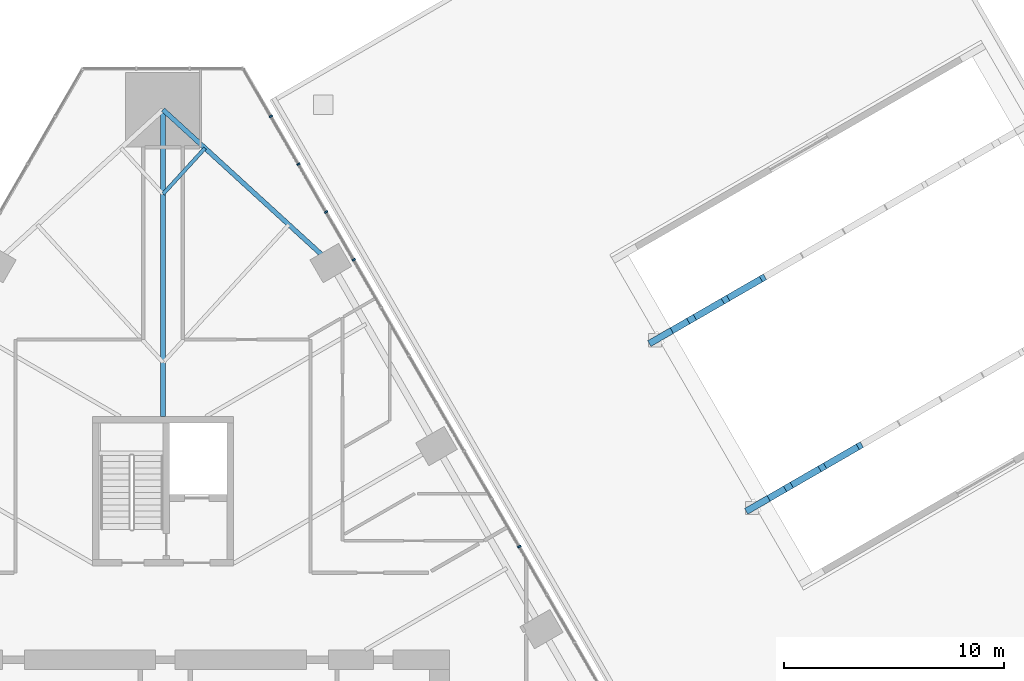
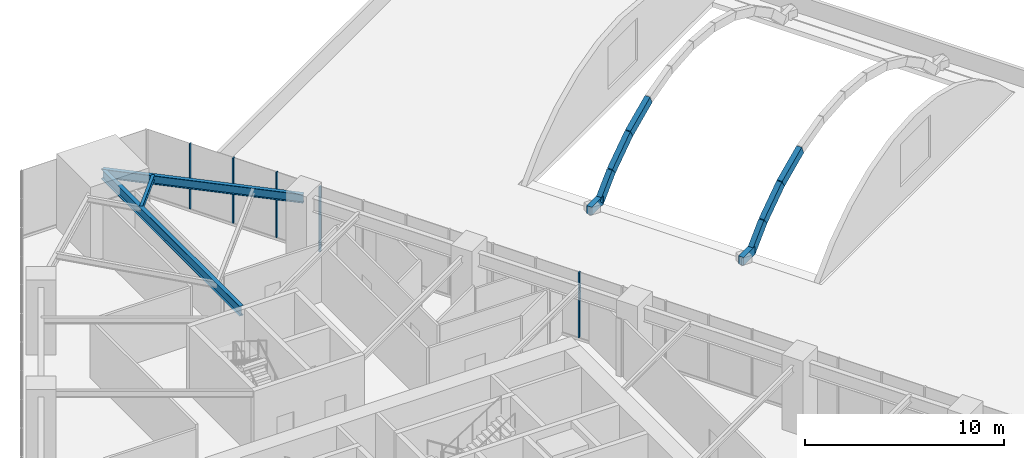
# One storey, part 12 of 23: 13 members, 3 beams, 1 element without a shape of its own.
"""IFC4 building model written with IfcOpenShell, lengths in metres."""

from ifc_helpers import new_model, si_unit, direction, frame, origin, origin_2d, place, context, subcontext, project, spatial, rectangle, i_section, extrude, material, layer, layer_set, material_profile, profile_set, type_object, element, aggregate, save


model = new_model("IFC4")

# Units and contexts
model_context = context("Model", 3, precision=1e-05, world=origin(), true_north=direction((0.0, 1.0)))
body_context = subcontext(model_context, "Body", "Model", "MODEL_VIEW")
ifc_project = project(units=[si_unit("LENGTHUNIT", "METRE"), si_unit("AREAUNIT", "SQUARE_METRE"), si_unit("VOLUMEUNIT", "CUBIC_METRE"), si_unit("PLANEANGLEUNIT", "RADIAN"), si_unit("MASSUNIT", "GRAM", prefix="KILO")], contexts=[model_context])

# Site, building, storey
site_placement = place(None, origin())
site = spatial("IfcSite", under=ifc_project, at=site_placement, CompositionType="ELEMENT")
building_placement = place(site_placement, origin())
building = spatial("IfcBuilding", under=site, at=building_placement, Name="Firuza Gate Tower and Library", CompositionType="ELEMENT")
storey_placement = place(building_placement, frame((0.0, 0.0, 26.39990234375)))
storey = spatial("IfcBuildingStorey", under=building, at=storey_placement, Name="L05", CompositionType="ELEMENT", Elevation=26.39990234375)

# Curtain wall, members
ifc_material_1 = material(Name="Aluminium 6063-T6", Category="aluminium")
ifc_layer = layer(ifc_material_1, 0.14990234375)
ifc_layer_set = layer_set([ifc_layer], Name="Stick curtain wall, podium")
curtain_wall_type = type_object("IfcCurtainWallType", Name="Stick curtain wall, podium", PredefinedType="NOTDEFINED", material=ifc_layer_set)
curtain_wall_placement = place(storey_placement, origin())
curtain_wall = element("IfcCurtainWall", 1, at=curtain_wall_placement, inside=storey, type_object=curtain_wall_type, Name="CW5 L05 E", PredefinedType="NOTDEFINED")
ifc_material_2 = material(Name="Aluminium 6063-T6", Category="aluminium")
ifc_material_profile_1 = material_profile(ifc_material_2, rectangle(XDim=0.14990234375, YDim=0.080078125, at=origin_2d()))
ifc_profile_set_1 = profile_set([ifc_material_profile_1], Name="Aluminium 6063-T6")
member_type_1 = type_object("IfcMemberType", Name="Curtain wall mullion 80x150", PredefinedType="MULLION", material=ifc_profile_set_1)
member_1_placement = place(storey_placement, frame((91.183837890625, 88.68798828125, 0.150146484375), z_axis=(0.0, 0.0, 1.0), x_axis=(-0.866025403784, -0.5, 0.0)))
member_1 = element("IfcMember", 2, at=member_1_placement, type_object=member_type_1, Name="Mullion", PredefinedType="MULLION", context=body_context, shape_type="SweptSolid", body=[
    extrude(rectangle(XDim=0.14990234375, YDim=0.080078125, at=origin_2d()), origin(), (0.0, 0.0, 1.0), 4.0),
])
member_2_placement = place(storey_placement, frame((83.659423828125, 101.720458984375, 0.150146484375), z_axis=(0.0, 0.0, 1.0), x_axis=(-0.866025403784, -0.5, 0.0)))
member_2 = element("IfcMember", 3, at=member_2_placement, type_object=member_type_1, Name="Mullion", PredefinedType="MULLION", context=body_context, shape_type="SweptSolid", body=[
    extrude(rectangle(XDim=0.14990234375, YDim=0.080078125, at=origin_2d()), origin(), (0.0, 0.0, 1.0), 4.0),
])
member_3_placement = place(storey_placement, frame((82.405517578125, 103.892578125, 0.150146484375), z_axis=(0.0, 0.0, 1.0), x_axis=(-0.866025403784, -0.5, 0.0)))
member_3 = element("IfcMember", 4, at=member_3_placement, type_object=member_type_1, Name="Mullion", PredefinedType="MULLION", context=body_context, shape_type="SweptSolid", body=[
    extrude(rectangle(XDim=0.14990234375, YDim=0.080078125, at=origin_2d()), origin(), (0.0, 0.0, 1.0), 4.0),
])
member_4_placement = place(storey_placement, frame((81.1513671875, 106.064697265625, 0.150146484375), z_axis=(0.0, 0.0, 1.0), x_axis=(-0.866025403784, -0.5, 0.0)))
member_4 = element("IfcMember", 5, at=member_4_placement, type_object=member_type_1, Name="Mullion", PredefinedType="MULLION", context=body_context, shape_type="SweptSolid", body=[
    extrude(rectangle(XDim=0.14990234375, YDim=0.080078125, at=origin_2d()), origin(), (0.0, 0.0, 1.0), 4.0),
])
member_5_placement = place(storey_placement, frame((79.8974609375, 108.23681640625, 0.150146484375), z_axis=(0.0, 0.0, 1.0), x_axis=(-0.866025403784, -0.5, 0.0)))
member_5 = element("IfcMember", 6, at=member_5_placement, type_object=member_type_1, Name="Mullion", PredefinedType="MULLION", context=body_context, shape_type="SweptSolid", body=[
    extrude(rectangle(XDim=0.14990234375, YDim=0.080078125, at=origin_2d()), origin(), (0.0, 0.0, 1.0), 4.0),
])
aggregate(curtain_wall, [member_1, member_2, member_3, member_4, member_5])

# Members
ifc_material_3 = material(Name="Concrete C40/50", Category="concrete")
ifc_material_profile_2 = material_profile(ifc_material_3, rectangle(XDim=0.300048828125, YDim=0.5, at=origin_2d()))
ifc_profile_set_2 = profile_set([ifc_material_profile_2], Name="Concrete C40/50")
member_type_2 = type_object("IfcMemberType", Name="LIB VAULT RIB 300X500", PredefinedType="USERDEFINED", material=ifc_profile_set_2)
member_6_placement = place(storey_placement, frame((102.35595703125, 90.7939453125, 0.178955078125), z_axis=(0.619323113088, 0.357629163137, 0.698956553206), x_axis=(-0.500065854499, 0.865987379333, 0.0)))
element("IfcMember", 7, at=member_6_placement, inside=storey, type_object=member_type_2, Name="Reading hall vault rib 1.1", ObjectType="VAULT RIB", PredefinedType="USERDEFINED", context=body_context, shape_type="SweptSolid", body=[
    extrude(rectangle(XDim=0.300048828125, YDim=0.5, at=origin_2d()), origin(), (0.0, 0.0, 1.0), 1.6923828125),
])
for number, where, z_axis, x_axis, name in (
    (8, (103.404052734375, 91.399169921875, 1.36181640625), (0.71380604921, 0.411989370812, 0.566344137825), (-0.49988465769, 0.866091986458, 0.0), "Reading hall vault rib 1.2"),
    (9, (104.9462890625, 92.289306640625, 2.58544921875), (0.787102137933, 0.454566738574, 0.416940408983), (-0.500109828528, 0.865961984968, 0.0), "Reading hall vault rib 1.3"),
):
    element("IfcMember", number, at=place(storey_placement, frame(where, z_axis=z_axis, x_axis=x_axis)), inside=storey, type_object=member_type_2, Name=name, ObjectType="VAULT RIB", PredefinedType="USERDEFINED", context=body_context, shape_type="SweptSolid", body=[
        extrude(rectangle(XDim=0.300048828125, YDim=0.5, at=origin_2d()), origin(), (0.0, 0.0, 1.0), 2.16064453125),
    ])
member_7_placement = place(storey_placement, frame((97.9560546875, 98.4150390625, 0.178955078125), z_axis=(0.61926612133, 0.357535286267, 0.699055069395), x_axis=(-0.500001913541, 0.866024298998, 0.0)))
element("IfcMember", 10, at=member_7_placement, inside=storey, type_object=member_type_2, Name="Reading hall vault rib 2.1", ObjectType="VAULT RIB", PredefinedType="USERDEFINED", context=body_context, shape_type="SweptSolid", body=[
    extrude(rectangle(XDim=0.300048828125, YDim=0.5, at=origin_2d()), origin(), (0.0, 0.0, 1.0), 1.692138671875),
])
member_8_placement = place(storey_placement, frame((99.00390625, 99.02001953125, 1.36181640625), z_axis=(0.713772816573, 0.412083182213, 0.566317770566), x_axis=(-0.499987491644, 0.866032625367, 0.0)))
element("IfcMember", 11, at=member_8_placement, inside=storey, type_object=member_type_2, Name="Reading hall vault rib 2.2", ObjectType="VAULT RIB", PredefinedType="USERDEFINED", context=body_context, shape_type="SweptSolid", body=[
    extrude(rectangle(XDim=0.300048828125, YDim=0.5, at=origin_2d()), origin(), (0.0, 0.0, 1.0), 2.16064453125),
])
member_9_placement = place(storey_placement, frame((100.546142578125, 99.910400390625, 2.58544921875), z_axis=(0.787185542842, 0.454436666185, 0.416924738494), x_axis=(-0.499962770326, 0.86604689728, 0.0)))
element("IfcMember", 12, at=member_9_placement, inside=storey, type_object=member_type_2, Name="Reading hall vault rib 2.3", ObjectType="VAULT RIB", PredefinedType="USERDEFINED", context=body_context, shape_type="SweptSolid", body=[
    extrude(rectangle(XDim=0.300048828125, YDim=0.5, at=origin_2d()), origin(), (0.0, 0.0, 1.0), 2.160888671875),
])
for number, where, z_axis, x_axis, name in (
    (13, (101.487060546875, 90.292236328125, 0.25), (0.866002680491, 0.500039355833, 0.0), (-0.500039355833, 0.866002680491, 0.0), "Vault spring beam 1"),
    (14, (97.0869140625, 97.913330078125, 0.25), (0.866054481515, 0.499949632511, 0.0), (-0.499949632511, 0.866054481515, 0.0), "Vault spring beam 3"),
):
    element("IfcMember", number, at=place(storey_placement, frame(where, z_axis=z_axis, x_axis=x_axis)), inside=storey, type_object=member_type_2, Name=name, ObjectType="VAULT RIB", PredefinedType="USERDEFINED", context=body_context, shape_type="SweptSolid", body=[
        extrude(rectangle(XDim=0.300048828125, YDim=0.5, at=origin_2d()), origin(), (0.0, 0.0, 1.0), 1.17822265625),
    ])

# Beams
ifc_material_4 = material(Name="Steel S355", Category="steel")
ifc_material_profile_3 = material_profile(ifc_material_4, i_section(OverallWidth=0.1650390625, OverallDepth=0.31005859375, WebThickness=0.005859375, FlangeThickness=0.009765625, at=origin_2d()))
ifc_profile_set_3 = profile_set([ifc_material_profile_3], Name="Steel S355")
beam_type_1 = type_object("IfcBeamType", Name="W310x39 Floor beam", PredefinedType="JOIST", material=ifc_profile_set_3)
beam_1_placement = place(storey_placement, frame((76.905029296875, 106.79296875, 3.9951171875), z_axis=(-0.674533736892, -0.738244023203, 0.0), x_axis=(0.738244023203, -0.674533736892, 0.0)))
element("IfcBeam", 15, at=beam_1_placement, inside=storey, type_object=beam_type_1, Name="Floor beam L05 s81", PredefinedType="JOIST", context=body_context, shape_type="SweptSolid", body=[
    extrude(i_section(OverallWidth=0.1650390625, OverallDepth=0.31005859375, WebThickness=0.005859375, FlangeThickness=0.009765625, at=origin_2d()), origin(), (0.0, 0.0, 1.0), 2.82421875),
])
ifc_material_5 = material(Name="Steel S355", Category="steel")
ifc_material_profile_4 = material_profile(ifc_material_5, i_section(OverallWidth=0.212890625, OverallDepth=0.5390625, WebThickness=0.01171875, FlangeThickness=0.018798828125, at=origin_2d()))
ifc_profile_set_4 = profile_set([ifc_material_profile_4], Name="Steel S355")
beam_type_2 = type_object("IfcBeamType", Name="W530x109 Edge beam", PredefinedType="SPANDREL", material=ifc_profile_set_4)
beam_2_placement = place(storey_placement, frame((82.62060546875, 101.570068359375, 3.880615234375), z_axis=(-0.738199730284, 0.674582210118, 0.0), x_axis=(-0.674582210118, -0.738199730284, 0.0)))
element("IfcBeam", 16, at=beam_2_placement, inside=storey, type_object=beam_type_2, Name="Edge beam L05 e80", PredefinedType="SPANDREL", context=body_context, shape_type="SweptSolid", body=[
    extrude(i_section(OverallWidth=0.212890625, OverallDepth=0.5390625, WebThickness=0.01171875, FlangeThickness=0.018798828125, at=origin_2d()), origin(), (0.0, 0.0, 1.0), 10.3232421875),
])
ifc_material_6 = material(Name="Steel S355", Category="steel")
ifc_material_profile_5 = material_profile(ifc_material_6, i_section(OverallWidth=0.22802734375, OverallDepth=0.60302734375, WebThickness=0.010498046875, FlangeThickness=0.014892578125, at=origin_2d()))
ifc_profile_set_5 = profile_set([ifc_material_profile_5], Name="Steel S355")
beam_type_3 = type_object("IfcBeamType", Name="W610x101 Girder", PredefinedType="BEAM", material=ifc_profile_set_5)
beam_3_placement = place(storey_placement, frame((75.0, 108.533935546875, 3.8486328125), z_axis=(0.0, -1.0, 0.0), x_axis=(1.0, 0.0, 0.0)))
element("IfcBeam", 17, at=beam_3_placement, inside=storey, type_object=beam_type_3, Name="Girder L05 gN", PredefinedType="BEAM", context=body_context, shape_type="SweptSolid", body=[
    extrude(i_section(OverallWidth=0.22802734375, OverallDepth=0.60302734375, WebThickness=0.010498046875, FlangeThickness=0.014892578125, at=origin_2d()), origin(), (0.0, 0.0, 1.0), 13.933837890625),
])

save(model, "model.ifc")
